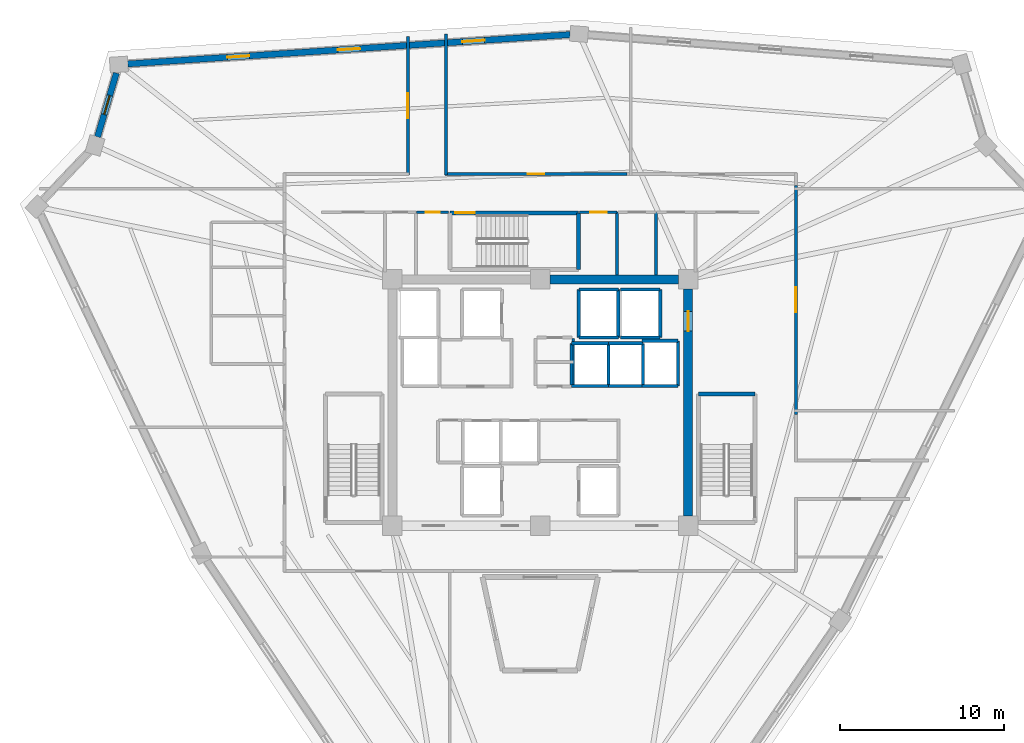
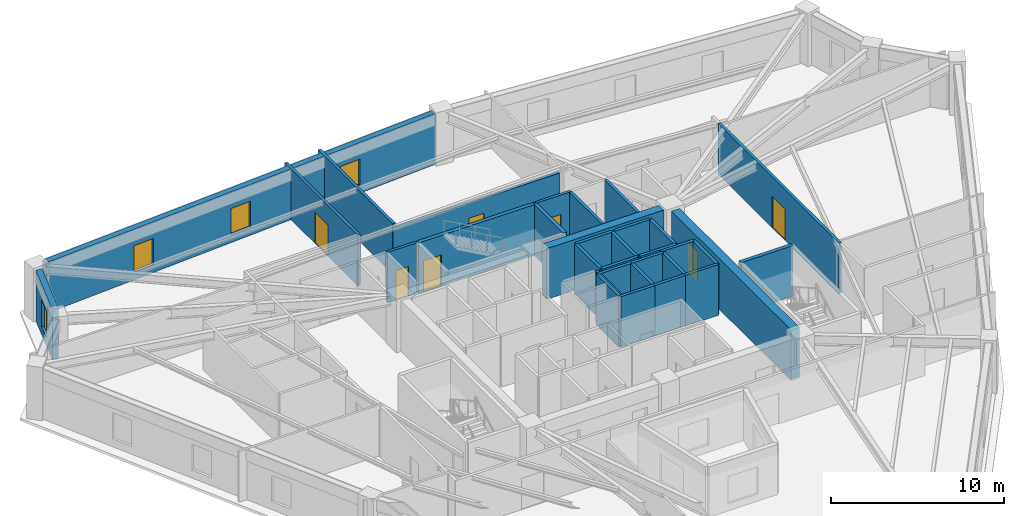
# One storey, part 6 of 10: 33 walls, 7 doors, 4 windows, 11 openings.
"""IFC4 building model written with IfcOpenShell, lengths in metres."""

from ifc_helpers import new_model, si_unit, direction, frame, frame_2d, origin, place, context, subcontext, project, spatial, rectangle, extrude, source, transform, mapped, material, layer, layer_set, type_object, element, fill, save


model = new_model("IFC4")

# Units and contexts
model_context = context("Model", 3, precision=1e-05, world=origin(), true_north=direction((0.0, 1.0)))
body_context = subcontext(model_context, "Body", "Model", "MODEL_VIEW")
ifc_project = project(units=[si_unit("LENGTHUNIT", "METRE"), si_unit("AREAUNIT", "SQUARE_METRE"), si_unit("VOLUMEUNIT", "CUBIC_METRE"), si_unit("PLANEANGLEUNIT", "RADIAN"), si_unit("MASSUNIT", "GRAM", prefix="KILO")], contexts=[model_context])

# Site, building, storey
site_placement = place(None, origin())
site = spatial("IfcSite", under=ifc_project, at=site_placement, CompositionType="ELEMENT")
building_placement = place(site_placement, origin())
building = spatial("IfcBuilding", under=site, at=building_placement, Name="Liaohun Quay Tower", CompositionType="ELEMENT")
storey_placement = place(building_placement, frame((0.0, 0.0, 286.5)))
storey = spatial("IfcBuildingStorey", under=building, at=storey_placement, Name="L74", CompositionType="ELEMENT", Elevation=286.5)

# Wall
ifc_material_1 = material(Name="Concrete C50", Category="concrete")
ifc_layer_1 = layer(ifc_material_1, 0.550048828125, Name="Concrete C50", Category="concrete")
ifc_layer_set_1 = layer_set([ifc_layer_1], Name="Concrete C50")
wall_type_1 = type_object("IfcWallType", Name="WAL-COR-Z4", PredefinedType="SHEAR", material=ifc_layer_set_1)
wall_1_placement = place(storey_placement, frame((60.60009765625, 61.5, 0.0), z_axis=(0.0, 0.0, 1.0), x_axis=(1.0, 0.0, 0.0)))
element("IfcWall", 1, at=wall_1_placement, inside=storey, type_object=wall_type_1, Name="L74 Central Core Shear Wall N-E", PredefinedType="SHEAR", context=body_context, shape_type="SweptSolid", body=[
    extrude(rectangle(XDim=7.7998046875, YDim=0.550048828125, at=frame_2d((3.89990234375, 0.0))), origin(), (0.0, 0.0, 1.0), 3.570068359375),
])

# Wall, opening, door
wall_2_placement = place(storey_placement, frame((69.0, 60.89990234375, 0.0), z_axis=(0.0, 0.0, 1.0), x_axis=(0.0, -1.0, 0.0)))
wall_2 = element("IfcWall", 2, at=wall_2_placement, inside=storey, type_object=wall_type_1, Name="L74 Central Core Shear Wall E", PredefinedType="SHEAR", context=body_context, shape_type="SweptSolid", body=[
    extrude(rectangle(XDim=13.7998046875, YDim=0.550048828125, at=frame_2d((6.89990234375, 0.0))), origin(), (0.0, 0.0, 1.0), 3.570068359375),
])
shared_shape_1 = source(origin(), body_context, "Body", "SweptSolid", [
    extrude(rectangle(XDim=1.199951171875, YDim=2.199951171875, at=frame_2d((0.60009765625, 1.10009765625))), frame((0.0, 0.284912109375, 0.0), z_axis=(0.0, -1.0, 0.0), x_axis=(1.0, 0.0, 0.0)), (0.0, 0.0, 1.0), 0.570068359375),
])
opening_1_placement = place(wall_2_placement, frame((1.35009765625, 0.0, 0.0)))
opening_1 = element("IfcOpeningElement", 3, at=opening_1_placement, cuts=wall_2, Name="Opening SD1", PredefinedType="OPENING", context=body_context, shape_type="MappedRepresentation", body=[
    mapped(shared_shape_1, transform((0.0, 0.0, 0.0), x_axis=(1.0, 0.0, 0.0), y_axis=(0.0, 1.0, 0.0), z_axis=(0.0, 0.0, 1.0), scale=1.0)),
])
ifc_material_2 = material(Name="Galvanised steel fire door", Category="steel")
door_type_1 = type_object("IfcDoorType", Name="DOR-STR-1200", OperationType="NOTDEFINED", PredefinedType="DOOR", material=ifc_material_2)
shared_shape_2 = source(origin(), body_context, "Body", "SweptSolid", [
    extrude(rectangle(XDim=1.199951171875, YDim=2.199951171875, at=frame_2d((0.60009765625, 1.10009765625))), frame((0.0, 0.02490234375, 0.0), z_axis=(0.0, -1.0, 0.0), x_axis=(1.0, 0.0, 0.0)), (0.0, 0.0, 1.0), 0.050048828125),
])
door_1_placement = place(opening_1_placement, origin())
door_1 = element("IfcDoor", 4, at=door_1_placement, inside=storey, type_object=door_type_1, Name="L74 North-East Core Lobby Smokeproof Door", OperationType="SINGLE_SWING_LEFT", OverallHeight=2.199951171875, OverallWidth=1.199951171875, PredefinedType="DOOR", context=body_context, shape_type="MappedRepresentation", body=[
    mapped(shared_shape_2, transform((0.0, 0.0, 0.0), x_axis=(1.0, 0.0, 0.0), y_axis=(0.0, 1.0, 0.0), z_axis=(0.0, 0.0, 1.0), scale=1.0)),
])
fill(opening_1, door_1)

# Wall, openings, windows
ifc_material_3 = material(Name="Precast concrete C50 insulated sandwich", Category="concrete")
ifc_layer_2 = layer(ifc_material_3, 0.3798828125, Name="Precast concrete C50 insulated sandwich", Category="concrete")
ifc_layer_set_2 = layer_set([ifc_layer_2], Name="Precast concrete C50 insulated sandwich")
wall_type_2 = type_object("IfcWallType", Name="WAL-EXT-Z34", PredefinedType="SOLIDWALL", material=ifc_layer_set_2)
wall_3_placement = place(storey_placement, frame((61.821044921875, 76.39111328125, 0.0), z_axis=(0.0, 0.0, 1.0), x_axis=(-0.997809311933, -0.06615570285, 0.0)))
wall_3 = element("IfcWall", 5, at=wall_3_placement, inside=storey, type_object=wall_type_2, Name="L74 Brutalist Precast Pier Wall 07", PredefinedType="SOLIDWALL", context=body_context, shape_type="SweptSolid", body=[
    extrude(rectangle(XDim=26.984130859375, YDim=0.3798828125, at=frame_2d((13.4921875, 0.0))), origin(), (0.0, 0.0, 1.0), 3.570068359375),
])
shared_shape_3 = source(origin(), body_context, "Body", "SweptSolid", [
    extrude(rectangle(XDim=1.35009765625, YDim=1.85009765625, at=frame_2d((0.675048828125, 0.925048828125))), frame((0.0, 0.199951171875, 0.0), z_axis=(0.0, -1.0, 0.0), x_axis=(1.0, 0.0, 0.0)), (0.0, 0.0, 1.0), 0.39990234375),
])
opening_2_placement = place(wall_3_placement, frame((5.220947265625, 0.0, 0.550048828125)))
opening_2 = element("IfcOpeningElement", 6, at=opening_2_placement, cuts=wall_3, Name="Opening W04", PredefinedType="OPENING", context=body_context, shape_type="MappedRepresentation", body=[
    mapped(shared_shape_3, transform((0.0, 0.0, 0.0), x_axis=(1.0, 0.0, 0.0), y_axis=(0.0, 1.0, 0.0), z_axis=(0.0, 0.0, 1.0), scale=1.0)),
])
opening_3_placement = place(wall_3_placement, frame((12.81689453125, 0.0, 0.550048828125)))
opening_3 = element("IfcOpeningElement", 7, at=opening_3_placement, cuts=wall_3, Name="Opening W04", PredefinedType="OPENING", context=body_context, shape_type="MappedRepresentation", body=[
    mapped(shared_shape_3, transform((0.0, 0.0, 0.0), x_axis=(1.0, 0.0, 0.0), y_axis=(0.0, 1.0, 0.0), z_axis=(0.0, 0.0, 1.0), scale=1.0)),
])
opening_4_placement = place(wall_3_placement, frame((19.56298828125, 0.0, 0.550048828125)))
opening_4 = element("IfcOpeningElement", 8, at=opening_4_placement, cuts=wall_3, Name="Opening W04", PredefinedType="OPENING", context=body_context, shape_type="MappedRepresentation", body=[
    mapped(shared_shape_3, transform((0.0, 0.0, 0.0), x_axis=(1.0, 0.0, 0.0), y_axis=(0.0, 1.0, 0.0), z_axis=(0.0, 0.0, 1.0), scale=1.0)),
])
ifc_material_4 = material(Name="Triple Low-E argon glazing in thermally broken aluminium", Category="aluminium")
window_type_1 = type_object("IfcWindowType", Name="WIN-PUN-Z4", PartitioningType="SINGLE_PANEL", PredefinedType="WINDOW", material=ifc_material_4)
shared_shape_4 = source(origin(), body_context, "Body", "SweptSolid", [
    extrude(rectangle(XDim=1.35009765625, YDim=1.85009765625, at=frame_2d((0.675048828125, 0.925048828125))), frame((0.0, 0.030029296875, 0.0), z_axis=(0.0, -1.0, 0.0), x_axis=(1.0, 0.0, 0.0)), (0.0, 0.0, 1.0), 0.06005859375),
])
window_1_placement = place(opening_2_placement, origin())
window_1 = element("IfcWindow", 9, at=window_1_placement, inside=storey, type_object=window_type_1, Name="L74 Recessed Cold-Climate Punched Window 07-1", OverallHeight=1.85009765625, OverallWidth=1.35009765625, PartitioningType="SINGLE_PANEL", PredefinedType="WINDOW", context=body_context, shape_type="MappedRepresentation", body=[
    mapped(shared_shape_4, transform((0.0, 0.0, 0.0), x_axis=(1.0, 0.0, 0.0), y_axis=(0.0, 1.0, 0.0), z_axis=(0.0, 0.0, 1.0), scale=1.0)),
])
fill(opening_2, window_1)
window_2_placement = place(opening_3_placement, origin())
window_2 = element("IfcWindow", 10, at=window_2_placement, inside=storey, type_object=window_type_1, Name="L74 Recessed Cold-Climate Punched Window 07-2", OverallHeight=1.85009765625, OverallWidth=1.35009765625, PartitioningType="SINGLE_PANEL", PredefinedType="WINDOW", context=body_context, shape_type="MappedRepresentation", body=[
    mapped(shared_shape_4, transform((0.0, 0.0, 0.0), x_axis=(1.0, 0.0, 0.0), y_axis=(0.0, 1.0, 0.0), z_axis=(0.0, 0.0, 1.0), scale=1.0)),
])
fill(opening_3, window_2)
window_3_placement = place(opening_4_placement, origin())
window_3 = element("IfcWindow", 11, at=window_3_placement, inside=storey, type_object=window_type_1, Name="L74 Recessed Cold-Climate Punched Window 07-3", OverallHeight=1.85009765625, OverallWidth=1.35009765625, PartitioningType="SINGLE_PANEL", PredefinedType="WINDOW", context=body_context, shape_type="MappedRepresentation", body=[
    mapped(shared_shape_4, transform((0.0, 0.0, 0.0), x_axis=(1.0, 0.0, 0.0), y_axis=(0.0, 1.0, 0.0), z_axis=(0.0, 0.0, 1.0), scale=1.0)),
])
fill(opening_4, window_3)

# Wall, opening, window
wall_4_placement = place(storey_placement, frame((34.2041015625, 74.052001953125, 0.0), z_axis=(0.0, 0.0, 1.0), x_axis=(-0.28287675233, -0.9591562662, 0.0)))
wall_4 = element("IfcWall", 12, at=wall_4_placement, inside=storey, type_object=wall_type_2, Name="L74 Brutalist Precast Pier Wall 08", PredefinedType="SOLIDWALL", context=body_context, shape_type="SweptSolid", body=[
    extrude(rectangle(XDim=4.055419921875, YDim=0.3798828125, at=frame_2d((2.02783203125, 0.0))), origin(), (0.0, 0.0, 1.0), 3.570068359375),
])
shared_shape_5 = source(origin(), body_context, "Body", "SweptSolid", [
    extrude(rectangle(XDim=1.199951171875, YDim=1.89990234375, at=frame_2d((0.60009765625, 0.949951171875))), frame((0.0, 0.199951171875, 0.0), z_axis=(0.0, -1.0, 0.0), x_axis=(1.0, 0.0, 0.0)), (0.0, 0.0, 1.0), 0.39990234375),
])
opening_5_placement = place(wall_4_placement, frame((1.427978515625, 0.0, 0.550048828125)))
opening_5 = element("IfcOpeningElement", 13, at=opening_5_placement, cuts=wall_4, Name="Opening W05", PredefinedType="OPENING", context=body_context, shape_type="MappedRepresentation", body=[
    mapped(shared_shape_5, transform((0.0, 0.0, 0.0), x_axis=(1.0, 0.0, 0.0), y_axis=(0.0, 1.0, 0.0), z_axis=(0.0, 0.0, 1.0), scale=1.0)),
])
ifc_material_5 = material(Name="Triple Low-E corner notch glazing", Category="glass")
window_type_2 = type_object("IfcWindowType", Name="WIN-NOTCH", PartitioningType="SINGLE_PANEL", PredefinedType="WINDOW", material=ifc_material_5)
shared_shape_6 = source(origin(), body_context, "Body", "SweptSolid", [
    extrude(rectangle(XDim=1.199951171875, YDim=1.89990234375, at=frame_2d((0.60009765625, 0.949951171875))), frame((0.0, 0.030029296875, 0.0), z_axis=(0.0, -1.0, 0.0), x_axis=(1.0, 0.0, 0.0)), (0.0, 0.0, 1.0), 0.06005859375),
])
window_4_placement = place(opening_5_placement, origin())
window_4 = element("IfcWindow", 14, at=window_4_placement, inside=storey, type_object=window_type_2, Name="L74 Corner Notch Window W05-08", OverallHeight=1.89990234375, OverallWidth=1.199951171875, PartitioningType="SINGLE_PANEL", PredefinedType="WINDOW", context=body_context, shape_type="MappedRepresentation", body=[
    mapped(shared_shape_6, transform((0.0, 0.0, 0.0), x_axis=(1.0, 0.0, 0.0), y_axis=(0.0, 1.0, 0.0), z_axis=(0.0, 0.0, 1.0), scale=1.0)),
])
fill(opening_5, window_4)

# Wall, opening, door
ifc_material_6 = material(Name="Autoclaved aerated concrete blockwork", Category="masonry")
ifc_layer_3 = layer(ifc_material_6, 0.179931640625, Name="Autoclaved aerated concrete blockwork", Category="masonry")
ifc_layer_set_3 = layer_set([ifc_layer_3], Name="Autoclaved aerated concrete blockwork")
wall_type_3 = type_object("IfcWallType", Name="WAL-PRT-COR", PredefinedType="PARTITIONING", material=ifc_layer_set_3)
wall_5_placement = place(storey_placement, frame((52.47998046875, 65.580078125, 0.0), z_axis=(0.0, 0.0, 1.0), x_axis=(1.0, 0.0, 0.0)))
wall_5 = element("IfcWall", 15, at=wall_5_placement, inside=storey, type_object=wall_type_3, Name="L74 Interior Partition Wall 010", PredefinedType="PARTITIONING", context=body_context, shape_type="SweptSolid", body=[
    extrude(rectangle(XDim=1.929931640625, YDim=0.179931640625, at=frame_2d((0.96484375, 0.0))), origin(), (0.0, 0.0, 1.0), 3.570068359375),
])
shared_shape_7 = source(origin(), body_context, "Body", "SweptSolid", [
    extrude(rectangle(XDim=0.85009765625, YDim=2.10009765625, at=frame_2d((0.425048828125, 1.050048828125))), frame((0.0, 0.099853515625, 0.0), z_axis=(0.0, -1.0, 0.0), x_axis=(1.0, 0.0, 0.0)), (0.0, 0.0, 1.0), 0.199951171875),
])
opening_6_placement = place(wall_5_placement, frame((0.5400390625, 0.0, 0.0)))
opening_6 = element("IfcOpeningElement", 16, at=opening_6_placement, cuts=wall_5, Name="Opening AD1", PredefinedType="OPENING", context=body_context, shape_type="MappedRepresentation", body=[
    mapped(shared_shape_7, transform((0.0, 0.0, 0.0), x_axis=(1.0, 0.0, 0.0), y_axis=(0.0, 1.0, 0.0), z_axis=(0.0, 0.0, 1.0), scale=1.0)),
])
ifc_material_7 = material(Name="Steel riser inspection fire door", Category="steel")
door_type_2 = type_object("IfcDoorType", Name="DOR-SHF-850", OperationType="NOTDEFINED", PredefinedType="DOOR", material=ifc_material_7)
shared_shape_8 = source(origin(), body_context, "Body", "SweptSolid", [
    extrude(rectangle(XDim=0.85009765625, YDim=2.10009765625, at=frame_2d((0.425048828125, 1.050048828125))), frame((0.0, 0.02490234375, 0.0), z_axis=(0.0, -1.0, 0.0), x_axis=(1.0, 0.0, 0.0)), (0.0, 0.0, 1.0), 0.050048828125),
])
door_2_placement = place(opening_6_placement, origin())
door_2 = element("IfcDoor", 17, at=door_2_placement, inside=storey, type_object=door_type_2, Name="L74 North-West Print Closet Door", OperationType="SINGLE_SWING_LEFT", OverallHeight=2.10009765625, OverallWidth=0.85009765625, PredefinedType="DOOR", context=body_context, shape_type="MappedRepresentation", body=[
    mapped(shared_shape_8, transform((0.0, 0.0, 0.0), x_axis=(1.0, 0.0, 0.0), y_axis=(0.0, 1.0, 0.0), z_axis=(0.0, 0.0, 1.0), scale=1.0)),
])
fill(opening_6, door_2)

wall_6_placement = place(storey_placement, frame((62.389892578125, 65.580078125, 0.0), z_axis=(0.0, 0.0, 1.0), x_axis=(1.0, 0.0, 0.0)))
wall_6 = element("IfcWall", 18, at=wall_6_placement, inside=storey, type_object=wall_type_3, Name="L74 Interior Partition Wall 011", PredefinedType="PARTITIONING", context=body_context, shape_type="SweptSolid", body=[
    extrude(rectangle(XDim=2.2900390625, YDim=0.179931640625, at=frame_2d((1.14501953125, 0.0))), origin(), (0.0, 0.0, 1.0), 3.570068359375),
])
shared_shape_9 = source(origin(), body_context, "Body", "SweptSolid", [
    extrude(rectangle(XDim=1.0, YDim=2.199951171875, at=frame_2d((0.5, 1.10009765625))), frame((0.0, 0.099853515625, 0.0), z_axis=(0.0, -1.0, 0.0), x_axis=(1.0, 0.0, 0.0)), (0.0, 0.0, 1.0), 0.199951171875),
])
opening_7_placement = place(wall_6_placement, frame((0.64501953125, 0.0, 0.0)))
opening_7 = element("IfcOpeningElement", 19, at=opening_7_placement, cuts=wall_6, Name="Opening OD1", PredefinedType="OPENING", context=body_context, shape_type="MappedRepresentation", body=[
    mapped(shared_shape_9, transform((0.0, 0.0, 0.0), x_axis=(1.0, 0.0, 0.0), y_axis=(0.0, 1.0, 0.0), z_axis=(0.0, 0.0, 1.0), scale=1.0)),
])
ifc_material_8 = material(Name="Solid-core oak veneer timber leaf in steel frame", Category="steel")
door_type_3 = type_object("IfcDoorType", Name="DOR-OFF-1000", OperationType="NOTDEFINED", PredefinedType="DOOR", material=ifc_material_8)
shared_shape_10 = source(origin(), body_context, "Body", "SweptSolid", [
    extrude(rectangle(XDim=1.0, YDim=2.199951171875, at=frame_2d((0.5, 1.10009765625))), frame((0.0, 0.02490234375, 0.0), z_axis=(0.0, -1.0, 0.0), x_axis=(1.0, 0.0, 0.0)), (0.0, 0.0, 1.0), 0.050048828125),
])
door_3_placement = place(opening_7_placement, origin())
door_3 = element("IfcDoor", 20, at=door_3_placement, inside=storey, type_object=door_type_3, Name="L74 North-East Mail Store Door", OperationType="SINGLE_SWING_RIGHT", OverallHeight=2.199951171875, OverallWidth=1.0, PredefinedType="DOOR", context=body_context, shape_type="MappedRepresentation", body=[
    mapped(shared_shape_10, transform((0.0, 0.0, 0.0), x_axis=(1.0, 0.0, 0.0), y_axis=(0.0, 1.0, 0.0), z_axis=(0.0, 0.0, 1.0), scale=1.0)),
])
fill(opening_7, door_3)

wall_7_placement = place(storey_placement, frame((75.56005859375, 67.215087890625, 0.0), z_axis=(0.0, 0.0, 1.0), x_axis=(0.0, -1.0, 0.0)))
wall_7 = element("IfcWall", 21, at=wall_7_placement, inside=storey, type_object=wall_type_3, Name="L74 Interior Partition Wall 016", PredefinedType="PARTITIONING", context=body_context, shape_type="SweptSolid", body=[
    extrude(rectangle(XDim=13.93017578125, YDim=0.179931640625, at=frame_2d((6.965087890625, 0.0))), origin(), (0.0, 0.0, 1.0), 3.570068359375),
])
shared_shape_11 = source(origin(), body_context, "Body", "SweptSolid", [
    extrude(rectangle(XDim=1.5, YDim=2.199951171875, at=frame_2d((0.75, 1.10009765625))), frame((0.0, 0.099853515625, 0.0), z_axis=(0.0, -1.0, 0.0), x_axis=(1.0, 0.0, 0.0)), (0.0, 0.0, 1.0), 0.199951171875),
])
opening_8_placement = place(wall_7_placement, frame((6.215087890625, 0.0, 0.0)))
opening_8 = element("IfcOpeningElement", 22, at=opening_8_placement, cuts=wall_7, Name="Opening OD2", PredefinedType="OPENING", context=body_context, shape_type="MappedRepresentation", body=[
    mapped(shared_shape_11, transform((0.0, 0.0, 0.0), x_axis=(1.0, 0.0, 0.0), y_axis=(0.0, 1.0, 0.0), z_axis=(0.0, 0.0, 1.0), scale=1.0)),
])
ifc_material_9 = material(Name="Acoustic oak veneer double door")
door_type_4 = type_object("IfcDoorType", Name="DOR-OFF-1500", OperationType="DOUBLE_DOOR_SINGLE_SWING", PredefinedType="DOOR", material=ifc_material_9)
shared_shape_12 = source(origin(), body_context, "Body", "SweptSolid", [
    extrude(rectangle(XDim=1.5, YDim=2.199951171875, at=frame_2d((0.75, 1.10009765625))), frame((0.0, 0.02490234375, 0.0), z_axis=(0.0, -1.0, 0.0), x_axis=(1.0, 0.0, 0.0)), (0.0, 0.0, 1.0), 0.050048828125),
])
door_4_placement = place(opening_8_placement, origin())
door_4 = element("IfcDoor", 23, at=door_4_placement, inside=storey, type_object=door_type_4, Name="L74 Engineering Model Workshop 01 Door", OperationType="DOUBLE_DOOR_SINGLE_SWING", OverallHeight=2.199951171875, OverallWidth=1.5, PredefinedType="DOOR", context=body_context, shape_type="MappedRepresentation", body=[
    mapped(shared_shape_12, transform((0.0, 0.0, 0.0), x_axis=(1.0, 0.0, 0.0), y_axis=(0.0, 1.0, 0.0), z_axis=(0.0, 0.0, 1.0), scale=1.0)),
])
fill(opening_8, door_4)

wall_8_placement = place(storey_placement, frame((54.18994140625, 67.909912109375, 0.0), z_axis=(0.0, 0.0, 1.0), x_axis=(1.0, 0.0, 0.0)))
wall_8 = element("IfcWall", 24, at=wall_8_placement, inside=storey, type_object=wall_type_3, Name="L74 Interior Partition Wall 018", PredefinedType="PARTITIONING", context=body_context, shape_type="SweptSolid", body=[
    extrude(rectangle(XDim=11.094970703125, YDim=0.179931640625, at=frame_2d((5.54736328125, 0.0))), origin(), (0.0, 0.0, 1.0), 3.260986328125),
])
opening_9_placement = place(wall_8_placement, frame((5.047119140625, 0.0, 0.0)))
opening_9 = element("IfcOpeningElement", 25, at=opening_9_placement, cuts=wall_8, Name="Opening OD1", PredefinedType="OPENING", context=body_context, shape_type="MappedRepresentation", body=[
    mapped(shared_shape_9, transform((0.0, 0.0, 0.0), x_axis=(1.0, 0.0, 0.0), y_axis=(0.0, 1.0, 0.0), z_axis=(0.0, 0.0, 1.0), scale=1.0)),
])
door_5_placement = place(opening_9_placement, origin())
door_5 = element("IfcDoor", 26, at=door_5_placement, inside=storey, type_object=door_type_3, Name="L74 Engineering Model Workshop 03 Door", OperationType="SINGLE_SWING_LEFT", OverallHeight=2.199951171875, OverallWidth=1.0, PredefinedType="DOOR", context=body_context, shape_type="MappedRepresentation", body=[
    mapped(shared_shape_10, transform((0.0, 0.0, 0.0), x_axis=(1.0, 0.0, 0.0), y_axis=(0.0, 1.0, 0.0), z_axis=(0.0, 0.0, 1.0), scale=1.0)),
])
fill(opening_9, door_5)

wall_9_placement = place(storey_placement, frame((51.93994140625, 67.840087890625, 0.0), z_axis=(0.0, 0.0, 1.0), x_axis=(0.0, 1.0, 0.0)))
wall_9 = element("IfcWall", 27, at=wall_9_placement, inside=storey, type_object=wall_type_3, Name="L74 Interior Partition Wall 019", PredefinedType="PARTITIONING", context=body_context, shape_type="SweptSolid", body=[
    extrude(rectangle(XDim=8.43701171875, YDim=0.179931640625, at=frame_2d((4.218505859375, 0.0))), origin(), (0.0, 0.0, 1.0), 3.570068359375),
])
opening_10_placement = place(wall_9_placement, frame((3.468017578125, 0.0, 0.0)))
opening_10 = element("IfcOpeningElement", 28, at=opening_10_placement, cuts=wall_9, Name="Opening OD2", PredefinedType="OPENING", context=body_context, shape_type="MappedRepresentation", body=[
    mapped(shared_shape_11, transform((0.0, 0.0, 0.0), x_axis=(1.0, 0.0, 0.0), y_axis=(0.0, 1.0, 0.0), z_axis=(0.0, 0.0, 1.0), scale=1.0)),
])
door_6_placement = place(opening_10_placement, origin())
door_6 = element("IfcDoor", 29, at=door_6_placement, inside=storey, type_object=door_type_4, Name="L74 Project Collaboration Studio 04 Door", OperationType="DOUBLE_DOOR_SINGLE_SWING", OverallHeight=2.199951171875, OverallWidth=1.5, PredefinedType="DOOR", context=body_context, shape_type="MappedRepresentation", body=[
    mapped(shared_shape_12, transform((0.0, 0.0, 0.0), x_axis=(1.0, 0.0, 0.0), y_axis=(0.0, 1.0, 0.0), z_axis=(0.0, 0.0, 1.0), scale=1.0)),
])
fill(opening_10, door_6)

# Walls
wall_10_placement = place(storey_placement, frame((62.010009765625, 55.02001953125, 0.0), z_axis=(0.0, 0.0, 1.0), x_axis=(0.0, 1.0, 0.0)))
element("IfcWall", 30, at=wall_10_placement, inside=storey, type_object=wall_type_3, Name="L74 Interior Partition Wall 027", PredefinedType="PARTITIONING", context=body_context, shape_type="SweptSolid", body=[
    extrude(rectangle(XDim=2.8798828125, YDim=0.179931640625, at=frame_2d((1.43994140625, 0.0))), origin(), (0.0, 0.0, 1.0), 3.570068359375),
])
for number, where, z_axis, x_axis, name in (
    (31, (64.679931640625, 61.77490234375, 0.0), (0.0, 0.0, 1.0), (0.0, 1.0, 0.0), "L74 Interior Partition Wall 038"),
    (32, (67.0400390625, 61.77490234375, 0.0), (0.0, 0.0, 1.0), (0.0, 1.0, 0.0), "L74 Interior Partition Wall 039"),
):
    element("IfcWall", number, at=place(storey_placement, frame(where, z_axis=z_axis, x_axis=x_axis)), inside=storey, type_object=wall_type_3, Name=name, PredefinedType="PARTITIONING", context=body_context, shape_type="SweptSolid", body=[
        extrude(rectangle(XDim=3.80517578125, YDim=0.179931640625, at=frame_2d((1.902587890625, 0.0))), origin(), (0.0, 0.0, 1.0), 3.570068359375),
    ])
wall_11_placement = place(storey_placement, frame((54.260009765625, 76.430908203125, 0.0), z_axis=(0.0, 0.0, 1.0), x_axis=(0.0, -1.0, 0.0)))
element("IfcWall", 33, at=wall_11_placement, inside=storey, type_object=wall_type_3, Name="L74 Interior Partition Wall 042", PredefinedType="PARTITIONING", context=body_context, shape_type="SweptSolid", body=[
    extrude(rectangle(XDim=8.5908203125, YDim=0.179931640625, at=frame_2d((4.29541015625, 0.0))), origin(), (0.0, 0.0, 1.0), 3.570068359375),
])
ifc_layer_4 = layer(ifc_material_1, 0.239990234375, Name="Concrete C50", Category="concrete")
ifc_layer_set_4 = layer_set([ifc_layer_4], Name="Concrete C50")
wall_type_4 = type_object("IfcWallType", Name="WAL-SHF-200", PredefinedType="SOLIDWALL", material=ifc_layer_set_4)
for number, where, z_axis, x_axis, name in (
    (34, (73.06005859375, 54.52001953125, 0.0), (0.0, 0.0, 1.0), (-1.0, 0.0, 0.0), "L74 Stairwell ST-2 Structural Core Wall N"),
    (35, (62.320068359375, 62.10009765625, 0.0), (0.0, 0.0, 1.0), (0.0, 1.0, 0.0), "L74 Stairwell ST-3 Structural Core Wall E"),
):
    element("IfcWall", number, at=place(storey_placement, frame(where, z_axis=z_axis, x_axis=x_axis)), inside=storey, type_object=wall_type_4, Name=name, PredefinedType="SOLIDWALL", context=body_context, shape_type="SweptSolid", body=[
        extrude(rectangle(XDim=3.43994140625, YDim=0.239990234375, at=frame_2d((1.719970703125, 0.0))), origin(), (0.0, 0.0, 1.0), 3.570068359375),
    ])

# Wall, opening, door
wall_12_placement = place(storey_placement, frame((62.320068359375, 65.5400390625, 0.0), z_axis=(0.0, 0.0, 1.0), x_axis=(-1.0, 0.0, 0.0)))
wall_12 = element("IfcWall", 36, at=wall_12_placement, inside=storey, type_object=wall_type_4, Name="L74 Stairwell ST-3 Structural Core Wall N", PredefinedType="SOLIDWALL", context=body_context, shape_type="SweptSolid", body=[
    extrude(rectangle(XDim=7.820068359375, YDim=0.239990234375, at=frame_2d((3.91015625, 0.0))), origin(), (0.0, 0.0, 1.0), 3.570068359375),
])
shared_shape_13 = source(origin(), body_context, "Body", "SweptSolid", [
    extrude(rectangle(XDim=1.199951171875, YDim=2.199951171875, at=frame_2d((0.60009765625, 1.10009765625))), frame((0.0, 0.1298828125, 0.0), z_axis=(0.0, -1.0, 0.0), x_axis=(1.0, 0.0, 0.0)), (0.0, 0.0, 1.0), 0.260009765625),
])
opening_11_placement = place(wall_12_placement, frame((6.300048828125, 0.0, 0.0)))
opening_11 = element("IfcOpeningElement", 37, at=opening_11_placement, cuts=wall_12, Name="Opening SD1", PredefinedType="OPENING", context=body_context, shape_type="MappedRepresentation", body=[
    mapped(shared_shape_13, transform((0.0, 0.0, 0.0), x_axis=(1.0, 0.0, 0.0), y_axis=(0.0, 1.0, 0.0), z_axis=(0.0, 0.0, 1.0), scale=1.0)),
])
door_7_placement = place(opening_11_placement, origin())
door_7 = element("IfcDoor", 38, at=door_7_placement, inside=storey, type_object=door_type_1, Name="L74 Protected Stair ST-3 Fire Door", OperationType="SINGLE_SWING_RIGHT", OverallHeight=2.199951171875, OverallWidth=1.199951171875, PredefinedType="DOOR", context=body_context, shape_type="MappedRepresentation", body=[
    mapped(shared_shape_2, transform((0.0, 0.0, 0.0), x_axis=(1.0, 0.0, 0.0), y_axis=(0.0, 1.0, 0.0), z_axis=(0.0, 0.0, 1.0), scale=1.0)),
])
fill(opening_11, door_7)

# Walls
wall_13_placement = place(storey_placement, frame((62.35009765625, 57.949951171875, 0.0), z_axis=(0.0, 0.0, 1.0), x_axis=(1.0, 0.0, 0.0)))
element("IfcWall", 39, at=wall_13_placement, inside=storey, type_object=wall_type_4, Name="L74 Lift OB-01 Hoistway Wall S", PredefinedType="SOLIDWALL", context=body_context, shape_type="SweptSolid", body=[
    extrude(rectangle(XDim=2.39990234375, YDim=0.199951171875, at=frame_2d((1.199951171875, 0.0))), origin(), (0.0, 0.0, 1.0), 3.570068359375),
])
wall_14_placement = place(storey_placement, frame((64.75, 57.949951171875, 0.0), z_axis=(0.0, 0.0, 1.0), x_axis=(0.0, 1.0, 0.0)))
element("IfcWall", 40, at=wall_14_placement, inside=storey, type_object=wall_type_4, Name="L74 Lift OB-01 Hoistway Wall E", PredefinedType="SOLIDWALL", context=body_context, shape_type="SweptSolid", body=[
    extrude(rectangle(XDim=2.929931640625, YDim=0.199951171875, at=frame_2d((1.46484375, 0.0))), origin(), (0.0, 0.0, 1.0), 3.570068359375),
])
wall_15_placement = place(storey_placement, frame((64.75, 60.8798828125, 0.0), z_axis=(0.0, 0.0, 1.0), x_axis=(-1.0, 0.0, 0.0)))
element("IfcWall", 41, at=wall_15_placement, inside=storey, type_object=wall_type_4, Name="L74 Lift OB-01 Hoistway Wall N", PredefinedType="SOLIDWALL", context=body_context, shape_type="SweptSolid", body=[
    extrude(rectangle(XDim=2.39990234375, YDim=0.199951171875, at=frame_2d((1.199951171875, 0.0))), origin(), (0.0, 0.0, 1.0), 3.570068359375),
])
wall_16_placement = place(storey_placement, frame((62.35009765625, 60.8798828125, 0.0), z_axis=(0.0, 0.0, 1.0), x_axis=(0.0, -1.0, 0.0)))
element("IfcWall", 42, at=wall_16_placement, inside=storey, type_object=wall_type_4, Name="L74 Lift OB-01 Hoistway Wall W", PredefinedType="SOLIDWALL", context=body_context, shape_type="SweptSolid", body=[
    extrude(rectangle(XDim=2.929931640625, YDim=0.199951171875, at=frame_2d((1.46484375, 0.0))), origin(), (0.0, 0.0, 1.0), 3.570068359375),
])
wall_17_placement = place(storey_placement, frame((64.89990234375, 57.949951171875, 0.0), z_axis=(0.0, 0.0, 1.0), x_axis=(1.0, 0.0, 0.0)))
element("IfcWall", 43, at=wall_17_placement, inside=storey, type_object=wall_type_4, Name="L74 Lift OB-02 Hoistway Wall S", PredefinedType="SOLIDWALL", context=body_context, shape_type="SweptSolid", body=[
    extrude(rectangle(XDim=2.400146484375, YDim=0.199951171875, at=frame_2d((1.2001953125, 0.0))), origin(), (0.0, 0.0, 1.0), 3.570068359375),
])
wall_18_placement = place(storey_placement, frame((67.300048828125, 57.949951171875, 0.0), z_axis=(0.0, 0.0, 1.0), x_axis=(0.0, 1.0, 0.0)))
element("IfcWall", 44, at=wall_18_placement, inside=storey, type_object=wall_type_4, Name="L74 Lift OB-02 Hoistway Wall E", PredefinedType="SOLIDWALL", context=body_context, shape_type="SweptSolid", body=[
    extrude(rectangle(XDim=2.929931640625, YDim=0.199951171875, at=frame_2d((1.46484375, 0.0))), origin(), (0.0, 0.0, 1.0), 3.570068359375),
])
wall_19_placement = place(storey_placement, frame((67.300048828125, 60.8798828125, 0.0), z_axis=(0.0, 0.0, 1.0), x_axis=(-1.0, 0.0, 0.0)))
element("IfcWall", 45, at=wall_19_placement, inside=storey, type_object=wall_type_4, Name="L74 Lift OB-02 Hoistway Wall N", PredefinedType="SOLIDWALL", context=body_context, shape_type="SweptSolid", body=[
    extrude(rectangle(XDim=2.400146484375, YDim=0.199951171875, at=frame_2d((1.2001953125, 0.0))), origin(), (0.0, 0.0, 1.0), 3.570068359375),
])
wall_20_placement = place(storey_placement, frame((66.199951171875, 55.0, 0.0), z_axis=(0.0, 0.0, 1.0), x_axis=(1.0, 0.0, 0.0)))
element("IfcWall", 46, at=wall_20_placement, inside=storey, type_object=wall_type_4, Name="L74 Lift SH-03 Hoistway Wall S", PredefinedType="SOLIDWALL", context=body_context, shape_type="SweptSolid", body=[
    extrude(rectangle(XDim=2.179931640625, YDim=0.199951171875, at=frame_2d((1.08984375, 0.0))), origin(), (0.0, 0.0, 1.0), 3.570068359375),
])
wall_21_placement = place(storey_placement, frame((68.3798828125, 55.0, 0.0), z_axis=(0.0, 0.0, 1.0), x_axis=(0.0, 1.0, 0.0)))
element("IfcWall", 47, at=wall_21_placement, inside=storey, type_object=wall_type_4, Name="L74 Lift SH-03 Hoistway Wall E", PredefinedType="SOLIDWALL", context=body_context, shape_type="SweptSolid", body=[
    extrude(rectangle(XDim=2.75, YDim=0.199951171875, at=frame_2d((1.375, 0.0))), origin(), (0.0, 0.0, 1.0), 3.570068359375),
])
wall_22_placement = place(storey_placement, frame((68.3798828125, 57.75, 0.0), z_axis=(0.0, 0.0, 1.0), x_axis=(-1.0, 0.0, 0.0)))
element("IfcWall", 48, at=wall_22_placement, inside=storey, type_object=wall_type_4, Name="L74 Lift SH-03 Hoistway Wall N", PredefinedType="SOLIDWALL", context=body_context, shape_type="SweptSolid", body=[
    extrude(rectangle(XDim=2.179931640625, YDim=0.199951171875, at=frame_2d((1.08984375, 0.0))), origin(), (0.0, 0.0, 1.0), 3.570068359375),
])
wall_23_placement = place(storey_placement, frame((61.89990234375, 55.0, 0.0), z_axis=(0.0, 0.0, 1.0), x_axis=(1.0, 0.0, 0.0)))
element("IfcWall", 49, at=wall_23_placement, inside=storey, type_object=wall_type_4, Name="L74 Lift PL-3A Hoistway Wall S", PredefinedType="SOLIDWALL", context=body_context, shape_type="SweptSolid", body=[
    extrude(rectangle(XDim=2.25, YDim=0.199951171875, at=frame_2d((1.125, 0.0))), origin(), (0.0, 0.0, 1.0), 3.570068359375),
])
wall_24_placement = place(storey_placement, frame((64.14990234375, 55.0, 0.0), z_axis=(0.0, 0.0, 1.0), x_axis=(0.0, 1.0, 0.0)))
element("IfcWall", 50, at=wall_24_placement, inside=storey, type_object=wall_type_4, Name="L74 Lift PL-3A Hoistway Wall E", PredefinedType="SOLIDWALL", context=body_context, shape_type="SweptSolid", body=[
    extrude(rectangle(XDim=2.60009765625, YDim=0.199951171875, at=frame_2d((1.300048828125, 0.0))), origin(), (0.0, 0.0, 1.0), 3.570068359375),
])
wall_25_placement = place(storey_placement, frame((64.14990234375, 57.60009765625, 0.0), z_axis=(0.0, 0.0, 1.0), x_axis=(-1.0, 0.0, 0.0)))
element("IfcWall", 51, at=wall_25_placement, inside=storey, type_object=wall_type_4, Name="L74 Lift PL-3A Hoistway Wall N", PredefinedType="SOLIDWALL", context=body_context, shape_type="SweptSolid", body=[
    extrude(rectangle(XDim=2.25, YDim=0.199951171875, at=frame_2d((1.125, 0.0))), origin(), (0.0, 0.0, 1.0), 3.570068359375),
])
wall_26_placement = place(storey_placement, frame((61.89990234375, 57.60009765625, 0.0), z_axis=(0.0, 0.0, 1.0), x_axis=(0.0, -1.0, 0.0)))
element("IfcWall", 52, at=wall_26_placement, inside=storey, type_object=wall_type_4, Name="L74 Lift PL-3A Hoistway Wall W", PredefinedType="SOLIDWALL", context=body_context, shape_type="SweptSolid", body=[
    extrude(rectangle(XDim=2.60009765625, YDim=0.199951171875, at=frame_2d((1.300048828125, 0.0))), origin(), (0.0, 0.0, 1.0), 3.570068359375),
])
wall_27_placement = place(storey_placement, frame((64.0, 55.0, 0.0), z_axis=(0.0, 0.0, 1.0), x_axis=(1.0, 0.0, 0.0)))
element("IfcWall", 53, at=wall_27_placement, inside=storey, type_object=wall_type_4, Name="L74 Lift PL-3B Hoistway Wall S", PredefinedType="SOLIDWALL", context=body_context, shape_type="SweptSolid", body=[
    extrude(rectangle(XDim=2.25, YDim=0.199951171875, at=frame_2d((1.125, 0.0))), origin(), (0.0, 0.0, 1.0), 3.570068359375),
])
wall_28_placement = place(storey_placement, frame((66.25, 55.0, 0.0), z_axis=(0.0, 0.0, 1.0), x_axis=(0.0, 1.0, 0.0)))
element("IfcWall", 54, at=wall_28_placement, inside=storey, type_object=wall_type_4, Name="L74 Lift PL-3B Hoistway Wall E", PredefinedType="SOLIDWALL", context=body_context, shape_type="SweptSolid", body=[
    extrude(rectangle(XDim=2.60009765625, YDim=0.199951171875, at=frame_2d((1.300048828125, 0.0))), origin(), (0.0, 0.0, 1.0), 3.570068359375),
])
wall_29_placement = place(storey_placement, frame((66.25, 57.60009765625, 0.0), z_axis=(0.0, 0.0, 1.0), x_axis=(-1.0, 0.0, 0.0)))
element("IfcWall", 55, at=wall_29_placement, inside=storey, type_object=wall_type_4, Name="L74 Lift PL-3B Hoistway Wall N", PredefinedType="SOLIDWALL", context=body_context, shape_type="SweptSolid", body=[
    extrude(rectangle(XDim=2.25, YDim=0.199951171875, at=frame_2d((1.125, 0.0))), origin(), (0.0, 0.0, 1.0), 3.570068359375),
])

save(model, "model.ifc")
